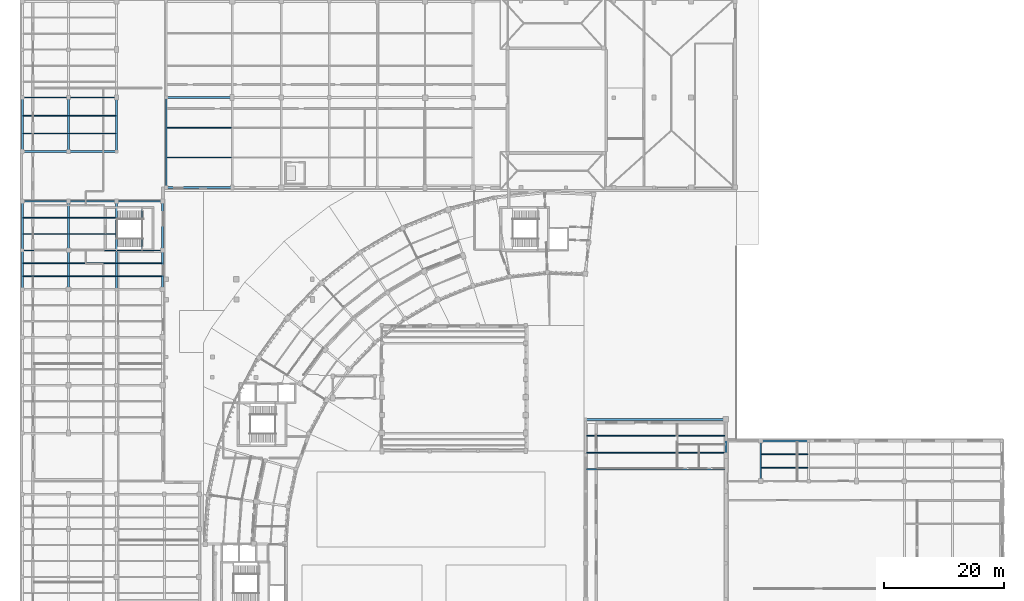
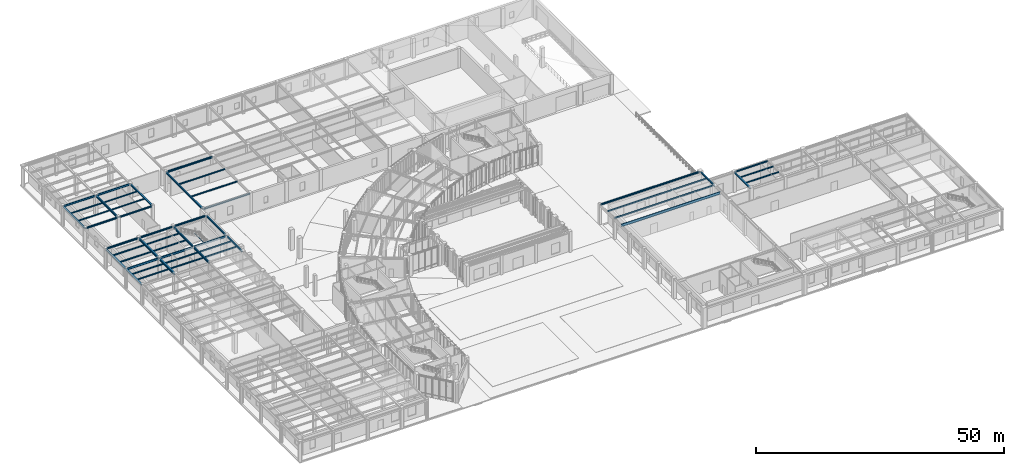
# One storey, part 14 of 68: 49 beams, 1 member.
"""IFC4 building model written with IfcOpenShell, lengths in metres."""

from ifc_helpers import new_model, si_unit, direction, frame, origin, origin_2d, place, context, subcontext, project, spatial, hollow_rectangle, i_section, extrude, material, material_profile, profile_set, type_object, element, save


model = new_model("IFC4")

# Units and contexts
model_context = context("Model", 3, precision=1e-05, world=origin(), true_north=direction((0.0, 1.0)))
body_context = subcontext(model_context, "Body", "Model", "MODEL_VIEW")
ifc_project = project(units=[si_unit("LENGTHUNIT", "METRE"), si_unit("AREAUNIT", "SQUARE_METRE"), si_unit("VOLUMEUNIT", "CUBIC_METRE"), si_unit("PLANEANGLEUNIT", "RADIAN"), si_unit("MASSUNIT", "GRAM", prefix="KILO"), si_unit("THERMODYNAMICTEMPERATUREUNIT", "KELVIN"), si_unit("POWERUNIT", "WATT")], contexts=[model_context])

# Site, building, storey
site_placement = place(None, origin())
site = spatial("IfcSite", under=ifc_project, at=site_placement, CompositionType="ELEMENT")
building_placement = place(site_placement, origin())
building = spatial("IfcBuilding", under=site, at=building_placement, Name="Solvatero Civic Police Headquarters", CompositionType="ELEMENT")
storey_placement = place(building_placement, origin())
storey = spatial("IfcBuildingStorey", under=building, at=storey_placement, Name="L00", CompositionType="ELEMENT", Elevation=0.0)

# Beams
ifc_material = material(Name="Steel S355", Category="steel")
ifc_material_profile_1 = material_profile(ifc_material, i_section(OverallWidth=0.300048828125, OverallDepth=0.31005859375, WebThickness=0.009033203125, FlangeThickness=0.015380859375, FilletRadius=0.027099609375, at=origin_2d()), Name="HEA 320")
ifc_profile_set_1 = profile_set([ifc_material_profile_1], Name="Steel S355")
beam_type_1 = type_object("IfcBeamType", Name="BM-ST-HEA320", PredefinedType="SPANDREL", material=ifc_profile_set_1)
beam_1_placement = place(storey_placement, frame((4.89990234375, 91.5, 4.72509765625), z_axis=(1.0, 0.0, 0.0), x_axis=(0.0, 1.0, 0.0)))
element("IfcBeam", 1, at=beam_1_placement, inside=storey, type_object=beam_type_1, Name="Perimeter / radial spandrel beam BM-R2-L00-V7NW-GX-1-1", PredefinedType="SPANDREL", context=body_context, shape_type="SweptSolid", body=[
    extrude(i_section(OverallWidth=0.300048828125, OverallDepth=0.31005859375, WebThickness=0.009033203125, FlangeThickness=0.015380859375, FilletRadius=0.027099609375, at=origin_2d()), origin(), (0.0, 0.0, 1.0), 7.5),
])
beam_2_placement = place(storey_placement, frame((12.60009765625, 91.5, 4.72509765625), z_axis=(1.0, 0.0, 0.0), x_axis=(0.0, 1.0, 0.0)))
element("IfcBeam", 2, at=beam_2_placement, inside=storey, type_object=beam_type_1, Name="Perimeter / radial spandrel beam BM-R2-L00-V7NW-GX-2-1", PredefinedType="SPANDREL", context=body_context, shape_type="SweptSolid", body=[
    extrude(i_section(OverallWidth=0.300048828125, OverallDepth=0.31005859375, WebThickness=0.009033203125, FlangeThickness=0.015380859375, FilletRadius=0.027099609375, at=origin_2d()), origin(), (0.0, 0.0, 1.0), 7.7998046875),
])
for number, where, z_axis, x_axis, name in (
    (3, (4.800048828125, 91.659912109375, 4.72509765625), (0.0, 1.0, 0.0), (-1.0, 0.0, 0.0), "Perimeter / radial spandrel beam BM-R2-L00-V7NW-GY-1-1"),
    (4, (20.5, 91.659912109375, 4.72509765625), (0.0, 1.0, 0.0), (-1.0, 0.0, 0.0), "Perimeter / radial spandrel beam BM-R2-L00-V7NW-GY-3-1"),
):
    element("IfcBeam", number, at=place(storey_placement, frame(where, z_axis=z_axis, x_axis=x_axis)), inside=storey, type_object=beam_type_1, Name=name, PredefinedType="SPANDREL", context=body_context, shape_type="SweptSolid", body=[
        extrude(i_section(OverallWidth=0.300048828125, OverallDepth=0.31005859375, WebThickness=0.009033203125, FlangeThickness=0.015380859375, FilletRadius=0.027099609375, at=origin_2d()), origin(), (0.0, 0.0, 1.0), 8.68017578125),
    ])
beam_3_placement = place(storey_placement, frame((128.10009765625, 43.199951171875, 4.72509765625), z_axis=(1.0, 0.0, 0.0), x_axis=(0.0, 1.0, 0.0)))
element("IfcBeam", 5, at=beam_3_placement, inside=storey, type_object=beam_type_1, Name="Perimeter / radial spandrel beam BM-R2-L00-V3-GX-1-4", PredefinedType="SPANDREL", context=body_context, shape_type="SweptSolid", body=[
    extrude(i_section(OverallWidth=0.300048828125, OverallDepth=0.31005859375, WebThickness=0.009033203125, FlangeThickness=0.015380859375, FilletRadius=0.027099609375, at=origin_2d()), origin(), (0.0, 0.0, 1.0), 7.7998046875),
])
beam_4_placement = place(storey_placement, frame((128.0, 36.659912109375, 4.72509765625), z_axis=(0.0, 1.0, 0.0), x_axis=(-1.0, 0.0, 0.0)))
element("IfcBeam", 6, at=beam_4_placement, inside=storey, type_object=beam_type_1, Name="Perimeter / radial spandrel beam BM-R2-L00-V3-GY-1-3", PredefinedType="SPANDREL", context=body_context, shape_type="SweptSolid", body=[
    extrude(i_section(OverallWidth=0.300048828125, OverallDepth=0.31005859375, WebThickness=0.009033203125, FlangeThickness=0.015380859375, FilletRadius=0.027099609375, at=origin_2d()), origin(), (0.0, 0.0, 1.0), 6.380126953125),
])
ifc_material_profile_2 = material_profile(ifc_material, i_section(OverallWidth=0.300048828125, OverallDepth=0.35009765625, WebThickness=0.010009765625, FlangeThickness=0.017578125, FilletRadius=0.027099609375, at=origin_2d()), Name="HEA 360")
ifc_profile_set_2 = profile_set([ifc_material_profile_2], Name="Steel S355")
beam_type_2 = type_object("IfcBeamType", Name="BM-ST-HEA360", PredefinedType="SPANDREL", material=ifc_profile_set_2)
beam_5_placement = place(storey_placement, frame((4.89990234375, 83.199951171875, 4.705078125), z_axis=(1.0, 0.0, 0.0), x_axis=(0.0, 1.0, 0.0)))
element("IfcBeam", 7, at=beam_5_placement, inside=storey, type_object=beam_type_2, Name="Perimeter / radial spandrel beam BM-R2-L00-V6-GX-1-6", PredefinedType="SPANDREL", context=body_context, shape_type="SweptSolid", body=[
    extrude(i_section(OverallWidth=0.300048828125, OverallDepth=0.35009765625, WebThickness=0.010009765625, FlangeThickness=0.017578125, FilletRadius=0.027099609375, at=origin_2d()), origin(), (0.0, 0.0, 1.0), 7.5),
])
beam_6_placement = place(storey_placement, frame((12.60009765625, 83.199951171875, 4.705078125), z_axis=(1.0, 0.0, 0.0), x_axis=(0.0, 1.0, 0.0)))
element("IfcBeam", 8, at=beam_6_placement, inside=storey, type_object=beam_type_2, Name="Perimeter / radial spandrel beam BM-R2-L00-V6-GX-2-6", PredefinedType="SPANDREL", context=body_context, shape_type="SweptSolid", body=[
    extrude(i_section(OverallWidth=0.300048828125, OverallDepth=0.35009765625, WebThickness=0.010009765625, FlangeThickness=0.017578125, FilletRadius=0.027099609375, at=origin_2d()), origin(), (0.0, 0.0, 1.0), 7.7998046875),
])
beam_7_placement = place(storey_placement, frame((20.60009765625, 83.199951171875, 4.705078125), z_axis=(1.0, 0.0, 0.0), x_axis=(0.0, 1.0, 0.0)))
element("IfcBeam", 9, at=beam_7_placement, inside=storey, type_object=beam_type_2, Name="Perimeter / radial spandrel beam BM-R2-L00-V6-GX-3-6", PredefinedType="SPANDREL", context=body_context, shape_type="SweptSolid", body=[
    extrude(i_section(OverallWidth=0.300048828125, OverallDepth=0.35009765625, WebThickness=0.010009765625, FlangeThickness=0.017578125, FilletRadius=0.027099609375, at=origin_2d()), origin(), (0.0, 0.0, 1.0), 7.5),
])
beam_8_placement = place(storey_placement, frame((4.800048828125, 68.659912109375, 4.705078125), z_axis=(0.0, 1.0, 0.0), x_axis=(-1.0, 0.0, 0.0)))
element("IfcBeam", 10, at=beam_8_placement, inside=storey, type_object=beam_type_2, Name="Perimeter / radial spandrel beam BM-R2-L00-V6-GY-1-4", PredefinedType="SPANDREL", context=body_context, shape_type="SweptSolid", body=[
    extrude(i_section(OverallWidth=0.300048828125, OverallDepth=0.35009765625, WebThickness=0.010009765625, FlangeThickness=0.017578125, FilletRadius=0.027099609375, at=origin_2d()), origin(), (0.0, 0.0, 1.0), 6.18017578125),
])
beam_9_placement = place(storey_placement, frame((4.800048828125, 75.159912109375, 4.705078125), z_axis=(0.0, 1.0, 0.0), x_axis=(-1.0, 0.0, 0.0)))
element("IfcBeam", 11, at=beam_9_placement, inside=storey, type_object=beam_type_2, Name="Perimeter / radial spandrel beam BM-R2-L00-V6-GY-1-5", PredefinedType="SPANDREL", context=body_context, shape_type="SweptSolid", body=[
    extrude(i_section(OverallWidth=0.300048828125, OverallDepth=0.35009765625, WebThickness=0.010009765625, FlangeThickness=0.017578125, FilletRadius=0.027099609375, at=origin_2d()), origin(), (0.0, 0.0, 1.0), 7.880126953125),
])
beam_10_placement = place(storey_placement, frame((28.199951171875, 68.659912109375, 4.705078125), z_axis=(0.0, 1.0, 0.0), x_axis=(-1.0, 0.0, 0.0)))
element("IfcBeam", 12, at=beam_10_placement, inside=storey, type_object=beam_type_2, Name="Perimeter / radial spandrel beam BM-R2-L00-V6-GY-4-4", PredefinedType="SPANDREL", context=body_context, shape_type="SweptSolid", body=[
    extrude(i_section(OverallWidth=0.300048828125, OverallDepth=0.35009765625, WebThickness=0.010009765625, FlangeThickness=0.017578125, FilletRadius=0.027099609375, at=origin_2d()), origin(), (0.0, 0.0, 1.0), 6.18017578125),
])
beam_11_placement = place(storey_placement, frame((28.199951171875, 75.159912109375, 4.705078125), z_axis=(0.0, 1.0, 0.0), x_axis=(-1.0, 0.0, 0.0)))
element("IfcBeam", 13, at=beam_11_placement, inside=storey, type_object=beam_type_2, Name="Perimeter / radial spandrel beam BM-R2-L00-V6-GY-4-5", PredefinedType="SPANDREL", context=body_context, shape_type="SweptSolid", body=[
    extrude(i_section(OverallWidth=0.300048828125, OverallDepth=0.35009765625, WebThickness=0.010009765625, FlangeThickness=0.017578125, FilletRadius=0.027099609375, at=origin_2d()), origin(), (0.0, 0.0, 1.0), 7.880126953125),
])
beam_12_placement = place(storey_placement, frame((28.89990234375, 85.5, 4.68505859375), z_axis=(1.0, 0.0, 0.0), x_axis=(0.0, 1.0, 0.0)))
element("IfcBeam", 14, at=beam_12_placement, inside=storey, type_object=beam_type_2, Name="Perimeter / radial spandrel beam BM-R2-L00-V7-GX-1-1", PredefinedType="SPANDREL", context=body_context, shape_type="SweptSolid", body=[
    extrude(i_section(OverallWidth=0.300048828125, OverallDepth=0.35009765625, WebThickness=0.010009765625, FlangeThickness=0.017578125, FilletRadius=0.027099609375, at=origin_2d()), origin(), (0.0, 0.0, 1.0), 10.800048828125),
])
beam_13_placement = place(storey_placement, frame((28.800048828125, 85.659912109375, 4.68505859375), z_axis=(0.0, 1.0, 0.0), x_axis=(-1.0, 0.0, 0.0)))
element("IfcBeam", 15, at=beam_13_placement, inside=storey, type_object=beam_type_2, Name="Perimeter / radial spandrel beam BM-R2-L00-V7-GY-1-1", PredefinedType="SPANDREL", context=body_context, shape_type="SweptSolid", body=[
    extrude(i_section(OverallWidth=0.300048828125, OverallDepth=0.35009765625, WebThickness=0.010009765625, FlangeThickness=0.017578125, FilletRadius=0.027099609375, at=origin_2d()), origin(), (0.0, 0.0, 1.0), 14.68017578125),
])
beam_14_placement = place(storey_placement, frame((98.89990234375, 46.800048828125, 4.705078125), z_axis=(1.0, 0.0, 0.0), x_axis=(0.0, 1.0, 0.0)))
element("IfcBeam", 16, at=beam_14_placement, inside=storey, type_object=beam_type_2, Name="Perimeter / radial spandrel beam BM-R2-L00-V1-GX-1-4", PredefinedType="SPANDREL", context=body_context, shape_type="SweptSolid", body=[
    extrude(i_section(OverallWidth=0.300048828125, OverallDepth=0.35009765625, WebThickness=0.010009765625, FlangeThickness=0.017578125, FilletRadius=0.027099609375, at=origin_2d()), origin(), (0.0, 0.0, 1.0), 23.2001953125),
])
beam_15_placement = place(storey_placement, frame((122.199951171875, 40.9599609375, 4.705078125), z_axis=(0.0, 1.0, 0.0), x_axis=(-1.0, 0.0, 0.0)))
element("IfcBeam", 17, at=beam_15_placement, inside=storey, type_object=beam_type_2, Name="Perimeter / radial spandrel beam BM-R2-L00-V1-GY-2-3", PredefinedType="SPANDREL", context=body_context, shape_type="SweptSolid", body=[
    extrude(i_section(OverallWidth=0.300048828125, OverallDepth=0.35009765625, WebThickness=0.010009765625, FlangeThickness=0.017578125, FilletRadius=0.027099609375, at=origin_2d()), origin(), (0.0, 0.0, 1.0), 5.679931640625),
])
ifc_material_profile_3 = material_profile(ifc_material, i_section(OverallWidth=0.300048828125, OverallDepth=0.43994140625, WebThickness=0.011474609375, FlangeThickness=0.02099609375, FilletRadius=0.027099609375, at=origin_2d()), Name="HEA 450")
ifc_profile_set_3 = profile_set([ifc_material_profile_3], Name="Steel S355")
beam_type_3 = type_object("IfcBeamType", Name="BM-ST-HEA450", PredefinedType="BEAM", material=ifc_profile_set_3)
beam_16_placement = place(storey_placement, frame((12.5, 91.659912109375, 4.659912109375), z_axis=(0.0, 1.0, 0.0), x_axis=(-1.0, 0.0, 0.0)))
element("IfcBeam", 18, at=beam_16_placement, inside=storey, type_object=beam_type_3, Name="Primary girder BM-R2-L00-V7NW-GY-2-1", PredefinedType="BEAM", context=body_context, shape_type="SweptSolid", body=[
    extrude(i_section(OverallWidth=0.300048828125, OverallDepth=0.43994140625, WebThickness=0.011474609375, FlangeThickness=0.02099609375, FilletRadius=0.027099609375, at=origin_2d()), origin(), (0.0, 0.0, 1.0), 8.68017578125),
])
ifc_material_profile_4 = material_profile(ifc_material, i_section(OverallWidth=0.300048828125, OverallDepth=0.489990234375, WebThickness=0.011962890625, FlangeThickness=0.02294921875, FilletRadius=0.027099609375, at=origin_2d()), Name="HEA 500")
ifc_profile_set_4 = profile_set([ifc_material_profile_4], Name="Steel S355")
beam_type_4 = type_object("IfcBeamType", Name="BM-ST-HEA500", PredefinedType="BEAM", material=ifc_profile_set_4)
beam_17_placement = place(storey_placement, frame((12.5, 68.659912109375, 4.635009765625), z_axis=(0.0, 1.0, 0.0), x_axis=(-1.0, 0.0, 0.0)))
element("IfcBeam", 19, at=beam_17_placement, inside=storey, type_object=beam_type_4, Name="Primary girder BM-R2-L00-V6-GY-2-4", PredefinedType="BEAM", context=body_context, shape_type="SweptSolid", body=[
    extrude(i_section(OverallWidth=0.300048828125, OverallDepth=0.489990234375, WebThickness=0.011962890625, FlangeThickness=0.02294921875, FilletRadius=0.027099609375, at=origin_2d()), origin(), (0.0, 0.0, 1.0), 6.18017578125),
])
beam_18_placement = place(storey_placement, frame((12.5, 75.159912109375, 4.635009765625), z_axis=(0.0, 1.0, 0.0), x_axis=(-1.0, 0.0, 0.0)))
element("IfcBeam", 20, at=beam_18_placement, inside=storey, type_object=beam_type_4, Name="Primary girder BM-R2-L00-V6-GY-2-5", PredefinedType="BEAM", context=body_context, shape_type="SweptSolid", body=[
    extrude(i_section(OverallWidth=0.300048828125, OverallDepth=0.489990234375, WebThickness=0.011962890625, FlangeThickness=0.02294921875, FilletRadius=0.027099609375, at=origin_2d()), origin(), (0.0, 0.0, 1.0), 7.880126953125),
])
beam_19_placement = place(storey_placement, frame((20.5, 68.659912109375, 4.635009765625), z_axis=(0.0, 1.0, 0.0), x_axis=(-1.0, 0.0, 0.0)))
element("IfcBeam", 21, at=beam_19_placement, inside=storey, type_object=beam_type_4, Name="Primary girder BM-R2-L00-V6-GY-3-4", PredefinedType="BEAM", context=body_context, shape_type="SweptSolid", body=[
    extrude(i_section(OverallWidth=0.300048828125, OverallDepth=0.489990234375, WebThickness=0.011962890625, FlangeThickness=0.02294921875, FilletRadius=0.027099609375, at=origin_2d()), origin(), (0.0, 0.0, 1.0), 6.18017578125),
])
beam_20_placement = place(storey_placement, frame((20.5, 75.159912109375, 4.635009765625), z_axis=(0.0, 1.0, 0.0), x_axis=(-1.0, 0.0, 0.0)))
element("IfcBeam", 22, at=beam_20_placement, inside=storey, type_object=beam_type_4, Name="Primary girder BM-R2-L00-V6-GY-3-5", PredefinedType="BEAM", context=body_context, shape_type="SweptSolid", body=[
    extrude(i_section(OverallWidth=0.300048828125, OverallDepth=0.489990234375, WebThickness=0.011962890625, FlangeThickness=0.02294921875, FilletRadius=0.027099609375, at=origin_2d()), origin(), (0.0, 0.0, 1.0), 7.880126953125),
])
ifc_material_profile_5 = material_profile(ifc_material, i_section(OverallWidth=0.300048828125, OverallDepth=0.39990234375, WebThickness=0.013427734375, FlangeThickness=0.02392578125, FilletRadius=0.027099609375, at=origin_2d()), Name="HEB 400")
ifc_profile_set_5 = profile_set([ifc_material_profile_5], Name="Steel S355")
beam_type_5 = type_object("IfcBeamType", Name="BM-ST-HEB400", PredefinedType="BEAM", material=ifc_profile_set_5)
beam_21_placement = place(storey_placement, frame((28.89990234375, 100.5, 4.659912109375), z_axis=(1.0, 0.0, 0.0), x_axis=(0.0, 1.0, 0.0)))
element("IfcBeam", 23, at=beam_21_placement, inside=storey, type_object=beam_type_5, Name="Primary girder BM-R2-L00-V7-GX-1-2", PredefinedType="BEAM", context=body_context, shape_type="SweptSolid", body=[
    extrude(i_section(OverallWidth=0.300048828125, OverallDepth=0.39990234375, WebThickness=0.013427734375, FlangeThickness=0.02392578125, FilletRadius=0.027099609375, at=origin_2d()), origin(), (0.0, 0.0, 1.0), 10.800048828125),
])
ifc_material_profile_6 = material_profile(ifc_material, i_section(OverallWidth=0.14990234375, OverallDepth=0.300048828125, WebThickness=0.007080078125, FlangeThickness=0.0107421875, FilletRadius=0.014892578125, at=origin_2d()), Name="IPE 300")
ifc_profile_set_6 = profile_set([ifc_material_profile_6], Name="Steel S355")
beam_type_6 = type_object("IfcBeamType", Name="BM-ST-IPE300", PredefinedType="BEAM", material=ifc_profile_set_6)
for number, where, z_axis, x_axis, name in (
    (24, (4.949951171875, 94.5, 4.72998046875), (1.0, 0.0, 0.0), (0.0, 1.0, 0.0), "Composite floor beam BM-R2-L00-V7NW-SEC-1-1-S1"),
    (25, (4.949951171875, 97.5, 4.72998046875), (1.0, 0.0, 0.0), (0.0, 1.0, 0.0), "Composite floor beam BM-R2-L00-V7NW-SEC-1-1-S2"),
):
    element("IfcBeam", number, at=place(storey_placement, frame(where, z_axis=z_axis, x_axis=x_axis)), inside=storey, type_object=beam_type_6, Name=name, PredefinedType="BEAM", context=body_context, shape_type="SweptSolid", body=[
        extrude(i_section(OverallWidth=0.14990234375, OverallDepth=0.300048828125, WebThickness=0.007080078125, FlangeThickness=0.0107421875, FilletRadius=0.014892578125, at=origin_2d()), origin(), (0.0, 0.0, 1.0), 7.400146484375),
    ])
for number, where, z_axis, x_axis, name in (
    (26, (12.64990234375, 94.5, 4.72998046875), (1.0, 0.0, 0.0), (0.0, 1.0, 0.0), "Composite floor beam BM-R2-L00-V7NW-SEC-2-1-S1"),
    (27, (12.64990234375, 97.5, 4.72998046875), (1.0, 0.0, 0.0), (0.0, 1.0, 0.0), "Composite floor beam BM-R2-L00-V7NW-SEC-2-1-S2"),
    (28, (128.14990234375, 38.7333984375, 4.72998046875), (1.0, 0.0, 0.0), (0.0, 1.0, 0.0), "Composite floor beam BM-R2-L00-V3-SEC-1-3-S1"),
    (29, (128.14990234375, 40.966796875, 4.72998046875), (1.0, 0.0, 0.0), (0.0, 1.0, 0.0), "Composite floor beam BM-R2-L00-V3-SEC-1-3-S2"),
):
    element("IfcBeam", number, at=place(storey_placement, frame(where, z_axis=z_axis, x_axis=x_axis)), inside=storey, type_object=beam_type_6, Name=name, PredefinedType="BEAM", context=body_context, shape_type="SweptSolid", body=[
        extrude(i_section(OverallWidth=0.14990234375, OverallDepth=0.300048828125, WebThickness=0.007080078125, FlangeThickness=0.0107421875, FilletRadius=0.014892578125, at=origin_2d()), origin(), (0.0, 0.0, 1.0), 7.7001953125),
    ])
ifc_material_profile_7 = material_profile(ifc_material, i_section(OverallWidth=0.159912109375, OverallDepth=0.330078125, WebThickness=0.007568359375, FlangeThickness=0.011474609375, FilletRadius=0.01806640625, at=origin_2d()), Name="IPE 330")
ifc_profile_set_7 = profile_set([ifc_material_profile_7], Name="Steel S355")
beam_type_7 = type_object("IfcBeamType", Name="BM-ST-IPE330", PredefinedType="BEAM", material=ifc_profile_set_7)
for number, where, z_axis, x_axis, name in (
    (30, (4.949951171875, 70.666748046875, 4.715087890625), (1.0, 0.0, 0.0), (0.0, 1.0, 0.0), "Composite floor beam BM-R2-L00-V6-SEC-1-4-S1"),
    (31, (4.949951171875, 72.833251953125, 4.715087890625), (1.0, 0.0, 0.0), (0.0, 1.0, 0.0), "Composite floor beam BM-R2-L00-V6-SEC-1-4-S2"),
    (32, (4.949951171875, 77.7333984375, 4.715087890625), (1.0, 0.0, 0.0), (0.0, 1.0, 0.0), "Composite floor beam BM-R2-L00-V6-SEC-1-5-S1"),
    (33, (4.949951171875, 80.466796875, 4.715087890625), (1.0, 0.0, 0.0), (0.0, 1.0, 0.0), "Composite floor beam BM-R2-L00-V6-SEC-1-5-S2"),
):
    element("IfcBeam", number, at=place(storey_placement, frame(where, z_axis=z_axis, x_axis=x_axis)), inside=storey, type_object=beam_type_7, Name=name, PredefinedType="BEAM", context=body_context, shape_type="SweptSolid", body=[
        extrude(i_section(OverallWidth=0.159912109375, OverallDepth=0.330078125, WebThickness=0.007568359375, FlangeThickness=0.011474609375, FilletRadius=0.01806640625, at=origin_2d()), origin(), (0.0, 0.0, 1.0), 7.400146484375),
    ])
for number, where, z_axis, x_axis, name in (
    (34, (12.64990234375, 70.666748046875, 4.715087890625), (1.0, 0.0, 0.0), (0.0, 1.0, 0.0), "Composite floor beam BM-R2-L00-V6-SEC-2-4-S1"),
    (35, (12.64990234375, 72.833251953125, 4.715087890625), (1.0, 0.0, 0.0), (0.0, 1.0, 0.0), "Composite floor beam BM-R2-L00-V6-SEC-2-4-S2"),
    (36, (12.64990234375, 77.7333984375, 4.715087890625), (1.0, 0.0, 0.0), (0.0, 1.0, 0.0), "Composite floor beam BM-R2-L00-V6-SEC-2-5-S1"),
    (37, (12.64990234375, 80.466796875, 4.715087890625), (1.0, 0.0, 0.0), (0.0, 1.0, 0.0), "Composite floor beam BM-R2-L00-V6-SEC-2-5-S2"),
):
    element("IfcBeam", number, at=place(storey_placement, frame(where, z_axis=z_axis, x_axis=x_axis)), inside=storey, type_object=beam_type_7, Name=name, PredefinedType="BEAM", context=body_context, shape_type="SweptSolid", body=[
        extrude(i_section(OverallWidth=0.159912109375, OverallDepth=0.330078125, WebThickness=0.007568359375, FlangeThickness=0.011474609375, FilletRadius=0.01806640625, at=origin_2d()), origin(), (0.0, 0.0, 1.0), 7.7001953125),
    ])
for number, where, z_axis, x_axis, name in (
    (38, (20.64990234375, 70.666748046875, 4.715087890625), (1.0, 0.0, 0.0), (0.0, 1.0, 0.0), "Composite floor beam BM-R2-L00-V6-SEC-3-4-S1"),
    (39, (20.64990234375, 72.833251953125, 4.715087890625), (1.0, 0.0, 0.0), (0.0, 1.0, 0.0), "Composite floor beam BM-R2-L00-V6-SEC-3-4-S2"),
):
    element("IfcBeam", number, at=place(storey_placement, frame(where, z_axis=z_axis, x_axis=x_axis)), inside=storey, type_object=beam_type_7, Name=name, PredefinedType="BEAM", context=body_context, shape_type="SweptSolid", body=[
        extrude(i_section(OverallWidth=0.159912109375, OverallDepth=0.330078125, WebThickness=0.007568359375, FlangeThickness=0.011474609375, FilletRadius=0.01806640625, at=origin_2d()), origin(), (0.0, 0.0, 1.0), 7.400146484375),
    ])
for number, where, z_axis, x_axis, name in (
    (40, (28.949951171875, 90.5, 4.695068359375), (1.0, 0.0, 0.0), (0.0, 1.0, 0.0), "Composite floor beam BM-R2-L00-V7-SEC-1-1-S1"),
    (41, (28.949951171875, 95.5, 4.695068359375), (1.0, 0.0, 0.0), (0.0, 1.0, 0.0), "Composite floor beam BM-R2-L00-V7-SEC-1-1-S2"),
):
    element("IfcBeam", number, at=place(storey_placement, frame(where, z_axis=z_axis, x_axis=x_axis)), inside=storey, type_object=beam_type_7, Name=name, PredefinedType="BEAM", context=body_context, shape_type="SweptSolid", body=[
        extrude(i_section(OverallWidth=0.159912109375, OverallDepth=0.330078125, WebThickness=0.007568359375, FlangeThickness=0.011474609375, FilletRadius=0.01806640625, at=origin_2d()), origin(), (0.0, 0.0, 1.0), 10.7451171875),
    ])
for number, where, z_axis, x_axis, name in (
    (42, (98.949951171875, 41.2666015625, 4.715087890625), (1.0, 0.0, 0.0), (0.0, 1.0, 0.0), "Composite floor beam BM-R2-L00-V1-SEC-1-3-S1"),
    (43, (98.949951171875, 44.033203125, 4.715087890625), (1.0, 0.0, 0.0), (0.0, 1.0, 0.0), "Composite floor beam BM-R2-L00-V1-SEC-1-3-S2"),
):
    element("IfcBeam", number, at=place(storey_placement, frame(where, z_axis=z_axis, x_axis=x_axis)), inside=storey, type_object=beam_type_7, Name=name, PredefinedType="BEAM", context=body_context, shape_type="SweptSolid", body=[
        extrude(i_section(OverallWidth=0.159912109375, OverallDepth=0.330078125, WebThickness=0.007568359375, FlangeThickness=0.011474609375, FilletRadius=0.01806640625, at=origin_2d()), origin(), (0.0, 0.0, 1.0), 23.10009765625),
    ])
ifc_material_profile_8 = material_profile(ifc_material, i_section(OverallWidth=0.18994140625, OverallDepth=0.449951171875, WebThickness=0.009521484375, FlangeThickness=0.0146484375, FilletRadius=0.02099609375, at=origin_2d()), Name="IPE 450")
ifc_profile_set_8 = profile_set([ifc_material_profile_8], Name="Steel S355")
beam_type_8 = type_object("IfcBeamType", Name="BM-ST-IPE450", PredefinedType="BEAM", material=ifc_profile_set_8)
beam_22_placement = place(storey_placement, frame((4.89990234375, 100.5, 4.655029296875), z_axis=(1.0, 0.0, 0.0), x_axis=(0.0, 1.0, 0.0)))
element("IfcBeam", 44, at=beam_22_placement, inside=storey, type_object=beam_type_8, Name="Primary girder BM-R2-L00-V7NW-GX-1-2", PredefinedType="BEAM", context=body_context, shape_type="SweptSolid", body=[
    extrude(i_section(OverallWidth=0.18994140625, OverallDepth=0.449951171875, WebThickness=0.009521484375, FlangeThickness=0.0146484375, FilletRadius=0.02099609375, at=origin_2d()), origin(), (0.0, 0.0, 1.0), 7.5),
])
beam_23_placement = place(storey_placement, frame((12.60009765625, 100.5, 4.655029296875), z_axis=(1.0, 0.0, 0.0), x_axis=(0.0, 1.0, 0.0)))
element("IfcBeam", 45, at=beam_23_placement, inside=storey, type_object=beam_type_8, Name="Primary girder BM-R2-L00-V7NW-GX-2-2", PredefinedType="BEAM", context=body_context, shape_type="SweptSolid", body=[
    extrude(i_section(OverallWidth=0.18994140625, OverallDepth=0.449951171875, WebThickness=0.009521484375, FlangeThickness=0.0146484375, FilletRadius=0.02099609375, at=origin_2d()), origin(), (0.0, 0.0, 1.0), 7.7998046875),
])
ifc_material_profile_9 = material_profile(ifc_material, i_section(OverallWidth=0.199951171875, OverallDepth=0.5, WebThickness=0.01025390625, FlangeThickness=0.01611328125, FilletRadius=0.02099609375, at=origin_2d()), Name="IPE 500")
ifc_profile_set_9 = profile_set([ifc_material_profile_9], Name="Steel S355")
beam_type_9 = type_object("IfcBeamType", Name="BM-ST-IPE500", PredefinedType="BEAM", material=ifc_profile_set_9)
beam_24_placement = place(storey_placement, frame((4.89990234375, 75.0, 4.6298828125), z_axis=(1.0, 0.0, 0.0), x_axis=(0.0, 1.0, 0.0)))
element("IfcBeam", 46, at=beam_24_placement, inside=storey, type_object=beam_type_9, Name="Primary girder BM-R2-L00-V6-GX-1-5", PredefinedType="BEAM", context=body_context, shape_type="SweptSolid", body=[
    extrude(i_section(OverallWidth=0.199951171875, OverallDepth=0.5, WebThickness=0.01025390625, FlangeThickness=0.01611328125, FilletRadius=0.02099609375, at=origin_2d()), origin(), (0.0, 0.0, 1.0), 7.5),
])
beam_25_placement = place(storey_placement, frame((12.60009765625, 75.0, 4.6298828125), z_axis=(1.0, 0.0, 0.0), x_axis=(0.0, 1.0, 0.0)))
element("IfcBeam", 47, at=beam_25_placement, inside=storey, type_object=beam_type_9, Name="Primary girder BM-R2-L00-V6-GX-2-5", PredefinedType="BEAM", context=body_context, shape_type="SweptSolid", body=[
    extrude(i_section(OverallWidth=0.199951171875, OverallDepth=0.5, WebThickness=0.01025390625, FlangeThickness=0.01611328125, FilletRadius=0.02099609375, at=origin_2d()), origin(), (0.0, 0.0, 1.0), 7.7998046875),
])
beam_26_placement = place(storey_placement, frame((20.60009765625, 75.0, 4.6298828125), z_axis=(1.0, 0.0, 0.0), x_axis=(0.0, 1.0, 0.0)))
element("IfcBeam", 48, at=beam_26_placement, inside=storey, type_object=beam_type_9, Name="Primary girder BM-R2-L00-V6-GX-3-5", PredefinedType="BEAM", context=body_context, shape_type="SweptSolid", body=[
    extrude(i_section(OverallWidth=0.199951171875, OverallDepth=0.5, WebThickness=0.01025390625, FlangeThickness=0.01611328125, FilletRadius=0.02099609375, at=origin_2d()), origin(), (0.0, 0.0, 1.0), 7.5),
])
ifc_material_profile_10 = material_profile(ifc_material, i_section(OverallWidth=0.219970703125, OverallDepth=0.60009765625, WebThickness=0.011962890625, FlangeThickness=0.01904296875, FilletRadius=0.02392578125, at=origin_2d()), Name="IPE 600")
ifc_profile_set_10 = profile_set([ifc_material_profile_10], Name="Steel S355")
beam_type_10 = type_object("IfcBeamType", Name="BM-ST-IPE600", PredefinedType="BEAM", material=ifc_profile_set_10)
beam_27_placement = place(storey_placement, frame((98.951904296875, 38.5, 4.580078125), z_axis=(1.0, 0.0, 0.0), x_axis=(0.0, 1.0, 0.0)))
element("IfcBeam", 49, at=beam_27_placement, inside=storey, type_object=beam_type_10, Name="Primary girder BM-R2-L00-V1-GX-1-3", PredefinedType="BEAM", context=body_context, shape_type="SweptSolid", body=[
    extrude(i_section(OverallWidth=0.219970703125, OverallDepth=0.60009765625, WebThickness=0.011962890625, FlangeThickness=0.01904296875, FilletRadius=0.02392578125, at=origin_2d()), origin(), (0.0, 0.0, 1.0), 23.09619140625),
])

# Member
ifc_material_profile_11 = material_profile(ifc_material, hollow_rectangle(XDim=0.10009765625, YDim=0.14990234375, WallThickness=0.00634765625, InnerFilletRadius=0.00634765625, OuterFilletRadius=0.0126953125, at=origin_2d()), Name="RHS 150x100x6.3")
ifc_profile_set_11 = profile_set([ifc_material_profile_11], Name="Steel S355")
member_type = type_object("IfcMemberType", Name="MB-BR-RHS150", PredefinedType="BRACE", material=ifc_profile_set_11)
member_placement = place(storey_placement, frame((24.764892578125, 75.080078125, 2.27490234375), z_axis=(0.0, 1.0, 0.0), x_axis=(-1.0, 0.0, 0.0)))
element("IfcMember", 50, at=member_placement, inside=storey, type_object=member_type, Name="ST-C4 L00 Landing Support Beam", PredefinedType="BRACE", context=body_context, shape_type="SweptSolid", body=[
    extrude(hollow_rectangle(XDim=0.10009765625, YDim=0.14990234375, WallThickness=0.00634765625, InnerFilletRadius=0.00634765625, OuterFilletRadius=0.0126953125, at=origin_2d()), origin(), (0.0, 0.0, 1.0), 7.0400390625),
])

save(model, "model.ifc")
